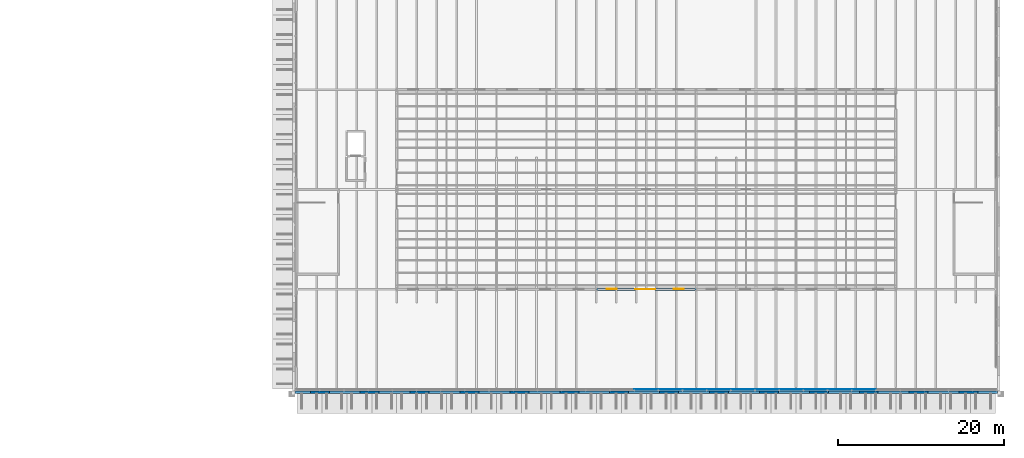
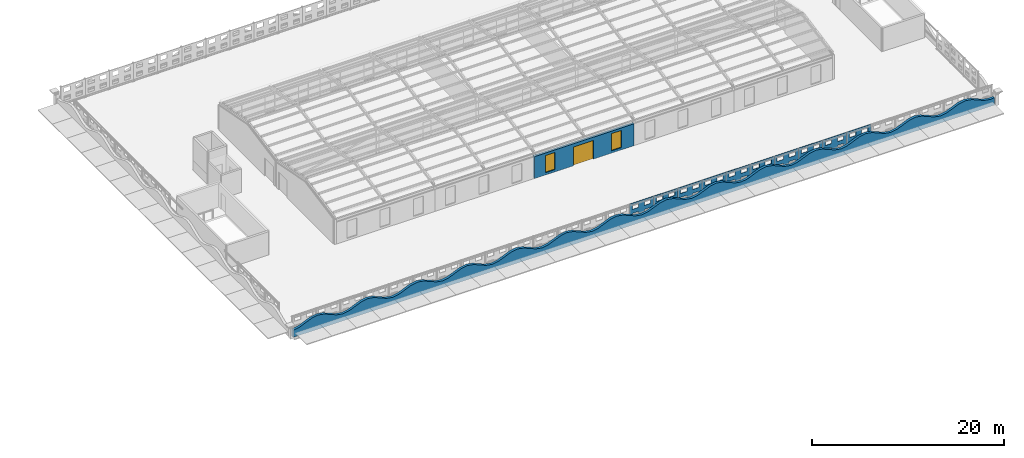
# One storey, part 58 of 91: 12 walls, 2 windows, 1 door, 43 openings.
"""IFC4 building model written with IfcOpenShell, lengths in metres."""

from ifc_helpers import new_model, si_unit, direction, frame, frame_2d, origin, place, context, subcontext, project, spatial, polyline, rectangle, outline, extrude, material, layer, layer_set, type_object, element, fill, save


model = new_model("IFC4")

# Units and contexts
model_context = context("Model", 3, precision=1e-05, world=origin(), true_north=direction((0.0, 1.0)))
body_context = subcontext(model_context, "Body", "Model", "MODEL_VIEW")
ifc_project = project(units=[si_unit("LENGTHUNIT", "METRE"), si_unit("AREAUNIT", "SQUARE_METRE"), si_unit("VOLUMEUNIT", "CUBIC_METRE"), si_unit("PLANEANGLEUNIT", "RADIAN"), si_unit("MASSUNIT", "GRAM", prefix="KILO")], contexts=[model_context])

# Site, building, storey
site_placement = place(None, origin())
site = spatial("IfcSite", under=ifc_project, at=site_placement, CompositionType="ELEMENT")
building_placement = place(site_placement, origin())
building = spatial("IfcBuilding", under=site, at=building_placement, Name="Ravi Spectrum Wholesale Market", CompositionType="ELEMENT")
storey_placement = place(building_placement, frame((0.0, 0.0, 16.199951171875)))
storey = spatial("IfcBuildingStorey", under=building, at=storey_placement, Name="ROOF PLANT LEVEL", CompositionType="ELEMENT", Elevation=16.199951171875)

# Wall, openings, door, windows
ifc_material_1 = material(Name="Clinker brickwork", Category="masonry")
ifc_layer_1 = layer(ifc_material_1, 0.300048828125)
ifc_layer_set_1 = layer_set([ifc_layer_1], Name="Clinker brickwork")
wall_type_1 = type_object("IfcWallType", Name="Brick 300 plant house", PredefinedType="SOLIDWALL", material=ifc_layer_set_1)
wall_1_placement = place(storey_placement, frame((234.0, 30.0, 0.0), z_axis=(0.0, 0.0, 1.0), x_axis=(1.0, 0.0, 0.0)))
wall_1 = element("IfcWall", 1, at=wall_1_placement, inside=storey, type_object=wall_type_1, Name="CS-WL-ROOF-114", PredefinedType="SOLIDWALL", context=body_context, shape_type="SweptSolid", body=[
    extrude(rectangle(XDim=12.0, YDim=0.300048828125, at=frame_2d((6.0, 0.0))), origin(), (0.0, 0.0, 1.0), 2.812255859375),
])
opening_1_placement = place(wall_1_placement, frame((1.280029296875, 0.0, 0.300048828125)))
opening_1 = element("IfcOpeningElement", 2, at=opening_1_placement, cuts=wall_1, Name="Opening W2665", PredefinedType="OPENING", context=body_context, shape_type="SweptSolid", body=[
    extrude(rectangle(XDim=1.199951171875, YDim=2.199951171875, at=frame_2d((0.60009765625, 1.10009765625))), frame((0.0, 0.159912109375, 0.0), z_axis=(0.0, -1.0, 0.0), x_axis=(1.0, 0.0, 0.0)), (0.0, 0.0, 1.0), 0.320068359375),
])
opening_2_placement = place(wall_1_placement, frame((9.280029296875, 0.0, 0.300048828125)))
opening_2 = element("IfcOpeningElement", 3, at=opening_2_placement, cuts=wall_1, Name="Opening W2666", PredefinedType="OPENING", context=body_context, shape_type="SweptSolid", body=[
    extrude(rectangle(XDim=1.199951171875, YDim=2.199951171875, at=frame_2d((0.60009765625, 1.10009765625))), frame((0.0, 0.159912109375, 0.0), z_axis=(0.0, -1.0, 0.0), x_axis=(1.0, 0.0, 0.0)), (0.0, 0.0, 1.0), 0.320068359375),
])
opening_3_placement = place(wall_1_placement, frame((4.679931640625, 0.0, 0.0)))
opening_3 = element("IfcOpeningElement", 4, at=opening_3_placement, cuts=wall_1, Name="Opening D547", PredefinedType="OPENING", context=body_context, shape_type="SweptSolid", body=[
    extrude(rectangle(XDim=2.39990234375, YDim=2.39990234375, at=frame_2d((1.199951171875, 1.199951171875))), frame((0.0, 0.159912109375, 0.0), z_axis=(0.0, -1.0, 0.0), x_axis=(1.0, 0.0, 0.0)), (0.0, 0.0, 1.0), 0.320068359375),
])
ifc_material_2 = material(Name="Galvanised steel", Category="steel")
door_type = type_object("IfcDoorType", Name="Plant equipment roller shutter 2400 x 2400", OperationType="ROLLINGUP", PredefinedType="DOOR", material=ifc_material_2)
door_placement = place(opening_3_placement, origin())
door = element("IfcDoor", 5, at=door_placement, inside=storey, type_object=door_type, Name="Equipment roller shutter D547", OperationType="ROLLINGUP", OverallHeight=2.39990234375, OverallWidth=2.39990234375, PredefinedType="DOOR", context=body_context, shape_type="SweptSolid", body=[
    extrude(rectangle(XDim=2.39990234375, YDim=2.39990234375, at=frame_2d((1.199951171875, 1.199951171875))), frame((0.0, 0.02490234375, 0.0), z_axis=(0.0, -1.0, 0.0), x_axis=(1.0, 0.0, 0.0)), (0.0, 0.0, 1.0), 0.050048828125),
])
fill(opening_3, door)
ifc_material_3 = material(Name="Galvanised steel louvre", Category="steel")
window_type = type_object("IfcWindowType", Name="Plant louvre 1200 x 2200", PartitioningType="SINGLE_PANEL", PredefinedType="WINDOW", material=ifc_material_3)
window_1_placement = place(opening_1_placement, origin())
window_1 = element("IfcWindow", 6, at=window_1_placement, inside=storey, type_object=window_type, Name="Window W2665", OverallHeight=2.199951171875, OverallWidth=1.199951171875, PartitioningType="SINGLE_PANEL", PredefinedType="WINDOW", context=body_context, shape_type="SweptSolid", body=[
    extrude(rectangle(XDim=1.199951171875, YDim=2.199951171875, at=frame_2d((0.60009765625, 1.10009765625))), frame((0.0, 0.030029296875, 0.0), z_axis=(0.0, -1.0, 0.0), x_axis=(1.0, 0.0, 0.0)), (0.0, 0.0, 1.0), 0.06005859375),
])
fill(opening_1, window_1)
window_2_placement = place(opening_2_placement, origin())
window_2 = element("IfcWindow", 7, at=window_2_placement, inside=storey, type_object=window_type, Name="Window W2666", OverallHeight=2.199951171875, OverallWidth=1.199951171875, PartitioningType="SINGLE_PANEL", PredefinedType="WINDOW", context=body_context, shape_type="SweptSolid", body=[
    extrude(rectangle(XDim=1.199951171875, YDim=2.199951171875, at=frame_2d((0.60009765625, 1.10009765625))), frame((0.0, 0.030029296875, 0.0), z_axis=(0.0, -1.0, 0.0), x_axis=(1.0, 0.0, 0.0)), (0.0, 0.0, 1.0), 0.06005859375),
])
fill(opening_2, window_2)

# Wall
ifc_material_4 = material(Name="Facing brickwork", Category="masonry")
ifc_layer_2 = layer(ifc_material_4, 0.300048828125)
ifc_layer_set_2 = layer_set([ifc_layer_2], Name="Facing brickwork")
wall_type_2 = type_object("IfcWallType", Name="Brick parapet 300", PredefinedType="PARAPET", material=ifc_layer_set_2)
wall_2_placement = place(storey_placement, frame((197.75, 17.60009765625, 0.0), z_axis=(0.0, 0.0, 1.0), x_axis=(1.0, 0.0, 0.0)))
element("IfcWall", 8, at=wall_2_placement, inside=storey, type_object=wall_type_2, Name="CS-WL-ROOF-001", PredefinedType="PARAPET", context=body_context, shape_type="SweptSolid", body=[
    extrude(outline(polyline([(0.0, 0.0), (84.5, 0.0), (84.5, 0.96044921875), (84.0, 0.900146484375), (83.25, 1.03173828125), (82.5, 1.35009765625), (81.75, 1.668212890625), (81.0, 1.800048828125), (80.25, 1.668212890625), (79.5, 1.35009765625), (78.75, 1.03173828125), (78.0, 0.900146484375), (77.25, 1.03173828125), (76.5, 1.35009765625), (75.75, 1.668212890625), (75.0, 1.800048828125), (74.25, 1.668212890625), (73.5, 1.35009765625), (72.75, 1.03173828125), (72.0, 0.900146484375), (71.25, 1.03173828125), (70.5, 1.35009765625), (69.75, 1.668212890625), (69.0, 1.800048828125), (68.25, 1.668212890625), (67.5, 1.35009765625), (66.75, 1.03173828125), (66.0, 0.900146484375), (65.25, 1.03173828125), (64.5, 1.35009765625), (63.75, 1.668212890625), (63.0, 1.800048828125), (62.25, 1.668212890625), (61.5, 1.35009765625), (60.75, 1.03173828125), (60.0, 0.900146484375), (59.25, 1.03173828125), (58.5, 1.35009765625), (57.75, 1.668212890625), (57.0, 1.800048828125), (56.25, 1.668212890625), (55.5, 1.35009765625), (54.75, 1.03173828125), (54.0, 0.900146484375), (53.25, 1.03173828125), (52.5, 1.35009765625), (51.75, 1.668212890625), (51.0, 1.800048828125), (50.25, 1.668212890625), (49.5, 1.35009765625), (48.75, 1.03173828125), (48.0, 0.900146484375), (47.25, 1.03173828125), (46.5, 1.35009765625), (45.75, 1.668212890625), (45.0, 1.800048828125), (44.25, 1.668212890625), (43.5, 1.35009765625), (42.75, 1.03173828125), (42.0, 0.900146484375), (41.25, 1.03173828125), (40.5, 1.35009765625), (39.75, 1.668212890625), (39.0, 1.800048828125), (38.25, 1.668212890625), (37.5, 1.35009765625), (36.75, 1.03173828125), (36.0, 0.900146484375), (35.25, 1.03173828125), (34.5, 1.35009765625), (33.75, 1.668212890625), (33.0, 1.800048828125), (32.25, 1.668212890625), (31.5, 1.35009765625), (30.75, 1.03173828125), (30.0, 0.900146484375), (29.25, 1.03173828125), (28.5, 1.35009765625), (27.75, 1.668212890625), (27.0, 1.800048828125), (26.25, 1.668212890625), (25.5, 1.35009765625), (24.75, 1.03173828125), (24.0, 0.900146484375), (23.25, 1.03173828125), (22.5, 1.35009765625), (21.75, 1.668212890625), (21.0, 1.800048828125), (20.25, 1.668212890625), (19.5, 1.35009765625), (18.75, 1.03173828125), (18.0, 0.900146484375), (17.25, 1.03173828125), (16.5, 1.35009765625), (15.75, 1.668212890625), (15.0, 1.800048828125), (14.25, 1.668212890625), (13.5, 1.35009765625), (12.75, 1.03173828125), (12.0, 0.900146484375), (11.25, 1.03173828125), (10.5, 1.35009765625), (9.75, 1.668212890625), (9.0, 1.800048828125), (8.25, 1.668212890625), (7.5, 1.35009765625), (6.75, 1.03173828125), (6.0, 0.900146484375), (5.25, 1.03173828125), (4.5, 1.35009765625), (3.75, 1.668212890625), (3.0, 1.800048828125), (2.25, 1.668212890625), (1.5, 1.35009765625), (0.75, 1.03173828125), (0.0, 0.900146484375), (0.0, 0.0)])), frame((0.0, 0.14990234375, 0.0), z_axis=(0.0, -1.0, 0.0), x_axis=(1.0, 0.0, 0.0)), (0.0, 0.0, 1.0), 0.300048828125),
])

# Wall, openings
ifc_material_5 = material(Name="Aluminium perforated plate", Category="aluminium")
ifc_layer_3 = layer(ifc_material_5, 0.030029296875)
ifc_layer_set_3 = layer_set([ifc_layer_3], Name="Aluminium perforated plate")
wall_type_3 = type_object("IfcWallType", Name="Perforated screen panel 30", PredefinedType="SOLIDWALL", material=ifc_layer_set_3)
wall_3_placement = place(storey_placement, frame((238.546630859375, 17.94921875, 0.300048828125), z_axis=(0.0, 0.0, 1.0), x_axis=(1.0, 0.0, 0.0)))
wall_3 = element("IfcWall", 9, at=wall_3_placement, inside=storey, type_object=wall_type_3, Name="CS-WL-ROOF-035", PredefinedType="SOLIDWALL", context=body_context, shape_type="SweptSolid", body=[
    extrude(rectangle(XDim=2.90673828125, YDim=0.030029296875, at=frame_2d((1.453369140625, 0.0))), origin(), (0.0, 0.0, 1.0), 2.10009765625),
])
opening_4_placement = place(wall_3_placement, frame((0.35009765625, 0.0, 0.25)))
element("IfcOpeningElement", 10, at=opening_4_placement, cuts=wall_3, Name="Opening CS-OP-ROOF-057", PredefinedType="OPENING", context=body_context, shape_type="SweptSolid", body=[
    extrude(rectangle(XDim=0.75341796875, YDim=0.550048828125, at=frame_2d((0.376708984375, 0.27490234375))), frame((0.0, 0.02490234375, 0.0), z_axis=(0.0, -1.0, 0.0), x_axis=(1.0, 0.0, 0.0)), (0.0, 0.0, 1.0), 0.050048828125),
])
opening_5_placement = place(wall_3_placement, frame((0.35009765625, 0.0, 1.300048828125)))
element("IfcOpeningElement", 11, at=opening_5_placement, cuts=wall_3, Name="Opening CS-OP-ROOF-058", PredefinedType="OPENING", context=body_context, shape_type="SweptSolid", body=[
    extrude(rectangle(XDim=0.75341796875, YDim=0.550048828125, at=frame_2d((0.376708984375, 0.27490234375))), frame((0.0, 0.02490234375, 0.0), z_axis=(0.0, -1.0, 0.0), x_axis=(1.0, 0.0, 0.0)), (0.0, 0.0, 1.0), 0.050048828125),
])
opening_6_placement = place(wall_3_placement, frame((1.803466796875, 0.0, 0.25)))
element("IfcOpeningElement", 12, at=opening_6_placement, cuts=wall_3, Name="Opening CS-OP-ROOF-059", PredefinedType="OPENING", context=body_context, shape_type="SweptSolid", body=[
    extrude(rectangle(XDim=0.75341796875, YDim=0.550048828125, at=frame_2d((0.376708984375, 0.27490234375))), frame((0.0, 0.02490234375, 0.0), z_axis=(0.0, -1.0, 0.0), x_axis=(1.0, 0.0, 0.0)), (0.0, 0.0, 1.0), 0.050048828125),
])
opening_7_placement = place(wall_3_placement, frame((1.803466796875, 0.0, 1.300048828125)))
element("IfcOpeningElement", 13, at=opening_7_placement, cuts=wall_3, Name="Opening CS-OP-ROOF-060", PredefinedType="OPENING", context=body_context, shape_type="SweptSolid", body=[
    extrude(rectangle(XDim=0.75341796875, YDim=0.550048828125, at=frame_2d((0.376708984375, 0.27490234375))), frame((0.0, 0.02490234375, 0.0), z_axis=(0.0, -1.0, 0.0), x_axis=(1.0, 0.0, 0.0)), (0.0, 0.0, 1.0), 0.050048828125),
])

wall_4_placement = place(storey_placement, frame((241.453369140625, 17.94921875, 0.300048828125), z_axis=(0.0, 0.0, 1.0), x_axis=(1.0, 0.0, 0.0)))
wall_4 = element("IfcWall", 14, at=wall_4_placement, inside=storey, type_object=wall_type_3, Name="CS-WL-ROOF-036", PredefinedType="SOLIDWALL", context=body_context, shape_type="SweptSolid", body=[
    extrude(rectangle(XDim=2.906982421875, YDim=0.030029296875, at=frame_2d((1.45361328125, 0.0))), origin(), (0.0, 0.0, 1.0), 2.10009765625),
])
opening_8_placement = place(wall_4_placement, frame((0.35009765625, 0.0, 0.25)))
element("IfcOpeningElement", 15, at=opening_8_placement, cuts=wall_4, Name="Opening CS-OP-ROOF-061", PredefinedType="OPENING", context=body_context, shape_type="SweptSolid", body=[
    extrude(rectangle(XDim=0.75341796875, YDim=0.550048828125, at=frame_2d((0.376708984375, 0.27490234375))), frame((0.0, 0.02490234375, 0.0), z_axis=(0.0, -1.0, 0.0), x_axis=(1.0, 0.0, 0.0)), (0.0, 0.0, 1.0), 0.050048828125),
])
opening_9_placement = place(wall_4_placement, frame((0.35009765625, 0.0, 1.300048828125)))
element("IfcOpeningElement", 16, at=opening_9_placement, cuts=wall_4, Name="Opening CS-OP-ROOF-062", PredefinedType="OPENING", context=body_context, shape_type="SweptSolid", body=[
    extrude(rectangle(XDim=0.75341796875, YDim=0.550048828125, at=frame_2d((0.376708984375, 0.27490234375))), frame((0.0, 0.02490234375, 0.0), z_axis=(0.0, -1.0, 0.0), x_axis=(1.0, 0.0, 0.0)), (0.0, 0.0, 1.0), 0.050048828125),
])
opening_10_placement = place(wall_4_placement, frame((1.803466796875, 0.0, 0.25)))
element("IfcOpeningElement", 17, at=opening_10_placement, cuts=wall_4, Name="Opening CS-OP-ROOF-063", PredefinedType="OPENING", context=body_context, shape_type="SweptSolid", body=[
    extrude(rectangle(XDim=0.75341796875, YDim=0.550048828125, at=frame_2d((0.376708984375, 0.27490234375))), frame((0.0, 0.02490234375, 0.0), z_axis=(0.0, -1.0, 0.0), x_axis=(1.0, 0.0, 0.0)), (0.0, 0.0, 1.0), 0.050048828125),
])
opening_11_placement = place(wall_4_placement, frame((1.803466796875, 0.0, 1.300048828125)))
element("IfcOpeningElement", 18, at=opening_11_placement, cuts=wall_4, Name="Opening CS-OP-ROOF-064", PredefinedType="OPENING", context=body_context, shape_type="SweptSolid", body=[
    extrude(rectangle(XDim=0.75341796875, YDim=0.550048828125, at=frame_2d((0.376708984375, 0.27490234375))), frame((0.0, 0.02490234375, 0.0), z_axis=(0.0, -1.0, 0.0), x_axis=(1.0, 0.0, 0.0)), (0.0, 0.0, 1.0), 0.050048828125),
])

wall_5_placement = place(storey_placement, frame((244.3603515625, 17.94921875, 0.300048828125), z_axis=(0.0, 0.0, 1.0), x_axis=(1.0, 0.0, 0.0)))
wall_5 = element("IfcWall", 19, at=wall_5_placement, inside=storey, type_object=wall_type_3, Name="CS-WL-ROOF-037", PredefinedType="SOLIDWALL", context=body_context, shape_type="SweptSolid", body=[
    extrude(rectangle(XDim=2.906982421875, YDim=0.030029296875, at=frame_2d((1.45361328125, 0.0))), origin(), (0.0, 0.0, 1.0), 2.10009765625),
])
opening_12_placement = place(wall_5_placement, frame((0.35009765625, 0.0, 0.25)))
element("IfcOpeningElement", 20, at=opening_12_placement, cuts=wall_5, Name="Opening CS-OP-ROOF-065", PredefinedType="OPENING", context=body_context, shape_type="SweptSolid", body=[
    extrude(rectangle(XDim=0.75341796875, YDim=0.550048828125, at=frame_2d((0.376708984375, 0.27490234375))), frame((0.0, 0.02490234375, 0.0), z_axis=(0.0, -1.0, 0.0), x_axis=(1.0, 0.0, 0.0)), (0.0, 0.0, 1.0), 0.050048828125),
])
opening_13_placement = place(wall_5_placement, frame((0.35009765625, 0.0, 1.300048828125)))
element("IfcOpeningElement", 21, at=opening_13_placement, cuts=wall_5, Name="Opening CS-OP-ROOF-066", PredefinedType="OPENING", context=body_context, shape_type="SweptSolid", body=[
    extrude(rectangle(XDim=0.75341796875, YDim=0.550048828125, at=frame_2d((0.376708984375, 0.27490234375))), frame((0.0, 0.02490234375, 0.0), z_axis=(0.0, -1.0, 0.0), x_axis=(1.0, 0.0, 0.0)), (0.0, 0.0, 1.0), 0.050048828125),
])
opening_14_placement = place(wall_5_placement, frame((1.803466796875, 0.0, 0.25)))
element("IfcOpeningElement", 22, at=opening_14_placement, cuts=wall_5, Name="Opening CS-OP-ROOF-067", PredefinedType="OPENING", context=body_context, shape_type="SweptSolid", body=[
    extrude(rectangle(XDim=0.75341796875, YDim=0.550048828125, at=frame_2d((0.376708984375, 0.27490234375))), frame((0.0, 0.02490234375, 0.0), z_axis=(0.0, -1.0, 0.0), x_axis=(1.0, 0.0, 0.0)), (0.0, 0.0, 1.0), 0.050048828125),
])
opening_15_placement = place(wall_5_placement, frame((1.803466796875, 0.0, 1.300048828125)))
element("IfcOpeningElement", 23, at=opening_15_placement, cuts=wall_5, Name="Opening CS-OP-ROOF-068", PredefinedType="OPENING", context=body_context, shape_type="SweptSolid", body=[
    extrude(rectangle(XDim=0.75341796875, YDim=0.550048828125, at=frame_2d((0.376708984375, 0.27490234375))), frame((0.0, 0.02490234375, 0.0), z_axis=(0.0, -1.0, 0.0), x_axis=(1.0, 0.0, 0.0)), (0.0, 0.0, 1.0), 0.050048828125),
])

wall_6_placement = place(storey_placement, frame((247.267333984375, 17.94921875, 0.300048828125), z_axis=(0.0, 0.0, 1.0), x_axis=(1.0, 0.0, 0.0)))
wall_6 = element("IfcWall", 24, at=wall_6_placement, inside=storey, type_object=wall_type_3, Name="CS-WL-ROOF-038", PredefinedType="SOLIDWALL", context=body_context, shape_type="SweptSolid", body=[
    extrude(rectangle(XDim=2.90673828125, YDim=0.030029296875, at=frame_2d((1.453369140625, 0.0))), origin(), (0.0, 0.0, 1.0), 2.10009765625),
])
opening_16_placement = place(wall_6_placement, frame((0.35009765625, 0.0, 0.25)))
element("IfcOpeningElement", 25, at=opening_16_placement, cuts=wall_6, Name="Opening CS-OP-ROOF-069", PredefinedType="OPENING", context=body_context, shape_type="SweptSolid", body=[
    extrude(rectangle(XDim=0.75341796875, YDim=0.550048828125, at=frame_2d((0.376708984375, 0.27490234375))), frame((0.0, 0.02490234375, 0.0), z_axis=(0.0, -1.0, 0.0), x_axis=(1.0, 0.0, 0.0)), (0.0, 0.0, 1.0), 0.050048828125),
])
opening_17_placement = place(wall_6_placement, frame((0.35009765625, 0.0, 1.300048828125)))
element("IfcOpeningElement", 26, at=opening_17_placement, cuts=wall_6, Name="Opening CS-OP-ROOF-070", PredefinedType="OPENING", context=body_context, shape_type="SweptSolid", body=[
    extrude(rectangle(XDim=0.75341796875, YDim=0.550048828125, at=frame_2d((0.376708984375, 0.27490234375))), frame((0.0, 0.02490234375, 0.0), z_axis=(0.0, -1.0, 0.0), x_axis=(1.0, 0.0, 0.0)), (0.0, 0.0, 1.0), 0.050048828125),
])
opening_18_placement = place(wall_6_placement, frame((1.803466796875, 0.0, 0.25)))
element("IfcOpeningElement", 27, at=opening_18_placement, cuts=wall_6, Name="Opening CS-OP-ROOF-071", PredefinedType="OPENING", context=body_context, shape_type="SweptSolid", body=[
    extrude(rectangle(XDim=0.75341796875, YDim=0.550048828125, at=frame_2d((0.376708984375, 0.27490234375))), frame((0.0, 0.02490234375, 0.0), z_axis=(0.0, -1.0, 0.0), x_axis=(1.0, 0.0, 0.0)), (0.0, 0.0, 1.0), 0.050048828125),
])
opening_19_placement = place(wall_6_placement, frame((1.803466796875, 0.0, 1.300048828125)))
element("IfcOpeningElement", 28, at=opening_19_placement, cuts=wall_6, Name="Opening CS-OP-ROOF-072", PredefinedType="OPENING", context=body_context, shape_type="SweptSolid", body=[
    extrude(rectangle(XDim=0.75341796875, YDim=0.550048828125, at=frame_2d((0.376708984375, 0.27490234375))), frame((0.0, 0.02490234375, 0.0), z_axis=(0.0, -1.0, 0.0), x_axis=(1.0, 0.0, 0.0)), (0.0, 0.0, 1.0), 0.050048828125),
])

wall_7_placement = place(storey_placement, frame((250.174072265625, 17.94921875, 0.300048828125), z_axis=(0.0, 0.0, 1.0), x_axis=(1.0, 0.0, 0.0)))
wall_7 = element("IfcWall", 29, at=wall_7_placement, inside=storey, type_object=wall_type_3, Name="CS-WL-ROOF-039", PredefinedType="SOLIDWALL", context=body_context, shape_type="SweptSolid", body=[
    extrude(rectangle(XDim=2.906982421875, YDim=0.030029296875, at=frame_2d((1.45361328125, 0.0))), origin(), (0.0, 0.0, 1.0), 2.10009765625),
])
opening_20_placement = place(wall_7_placement, frame((0.35009765625, 0.0, 0.25)))
element("IfcOpeningElement", 30, at=opening_20_placement, cuts=wall_7, Name="Opening CS-OP-ROOF-073", PredefinedType="OPENING", context=body_context, shape_type="SweptSolid", body=[
    extrude(rectangle(XDim=0.75341796875, YDim=0.550048828125, at=frame_2d((0.376708984375, 0.27490234375))), frame((0.0, 0.02490234375, 0.0), z_axis=(0.0, -1.0, 0.0), x_axis=(1.0, 0.0, 0.0)), (0.0, 0.0, 1.0), 0.050048828125),
])
opening_21_placement = place(wall_7_placement, frame((0.35009765625, 0.0, 1.300048828125)))
element("IfcOpeningElement", 31, at=opening_21_placement, cuts=wall_7, Name="Opening CS-OP-ROOF-074", PredefinedType="OPENING", context=body_context, shape_type="SweptSolid", body=[
    extrude(rectangle(XDim=0.75341796875, YDim=0.550048828125, at=frame_2d((0.376708984375, 0.27490234375))), frame((0.0, 0.02490234375, 0.0), z_axis=(0.0, -1.0, 0.0), x_axis=(1.0, 0.0, 0.0)), (0.0, 0.0, 1.0), 0.050048828125),
])
opening_22_placement = place(wall_7_placement, frame((1.803466796875, 0.0, 0.25)))
element("IfcOpeningElement", 32, at=opening_22_placement, cuts=wall_7, Name="Opening CS-OP-ROOF-075", PredefinedType="OPENING", context=body_context, shape_type="SweptSolid", body=[
    extrude(rectangle(XDim=0.75341796875, YDim=0.550048828125, at=frame_2d((0.376708984375, 0.27490234375))), frame((0.0, 0.02490234375, 0.0), z_axis=(0.0, -1.0, 0.0), x_axis=(1.0, 0.0, 0.0)), (0.0, 0.0, 1.0), 0.050048828125),
])
opening_23_placement = place(wall_7_placement, frame((1.803466796875, 0.0, 1.300048828125)))
element("IfcOpeningElement", 33, at=opening_23_placement, cuts=wall_7, Name="Opening CS-OP-ROOF-076", PredefinedType="OPENING", context=body_context, shape_type="SweptSolid", body=[
    extrude(rectangle(XDim=0.75341796875, YDim=0.550048828125, at=frame_2d((0.376708984375, 0.27490234375))), frame((0.0, 0.02490234375, 0.0), z_axis=(0.0, -1.0, 0.0), x_axis=(1.0, 0.0, 0.0)), (0.0, 0.0, 1.0), 0.050048828125),
])

wall_8_placement = place(storey_placement, frame((253.0810546875, 17.94921875, 0.300048828125), z_axis=(0.0, 0.0, 1.0), x_axis=(1.0, 0.0, 0.0)))
wall_8 = element("IfcWall", 34, at=wall_8_placement, inside=storey, type_object=wall_type_3, Name="CS-WL-ROOF-040", PredefinedType="SOLIDWALL", context=body_context, shape_type="SweptSolid", body=[
    extrude(rectangle(XDim=2.906982421875, YDim=0.030029296875, at=frame_2d((1.45361328125, 0.0))), origin(), (0.0, 0.0, 1.0), 2.10009765625),
])
opening_24_placement = place(wall_8_placement, frame((0.35009765625, 0.0, 0.25)))
element("IfcOpeningElement", 35, at=opening_24_placement, cuts=wall_8, Name="Opening CS-OP-ROOF-077", PredefinedType="OPENING", context=body_context, shape_type="SweptSolid", body=[
    extrude(rectangle(XDim=0.75341796875, YDim=0.550048828125, at=frame_2d((0.376708984375, 0.27490234375))), frame((0.0, 0.02490234375, 0.0), z_axis=(0.0, -1.0, 0.0), x_axis=(1.0, 0.0, 0.0)), (0.0, 0.0, 1.0), 0.050048828125),
])
opening_25_placement = place(wall_8_placement, frame((0.35009765625, 0.0, 1.300048828125)))
element("IfcOpeningElement", 36, at=opening_25_placement, cuts=wall_8, Name="Opening CS-OP-ROOF-078", PredefinedType="OPENING", context=body_context, shape_type="SweptSolid", body=[
    extrude(rectangle(XDim=0.75341796875, YDim=0.550048828125, at=frame_2d((0.376708984375, 0.27490234375))), frame((0.0, 0.02490234375, 0.0), z_axis=(0.0, -1.0, 0.0), x_axis=(1.0, 0.0, 0.0)), (0.0, 0.0, 1.0), 0.050048828125),
])
opening_26_placement = place(wall_8_placement, frame((1.803466796875, 0.0, 0.25)))
element("IfcOpeningElement", 37, at=opening_26_placement, cuts=wall_8, Name="Opening CS-OP-ROOF-079", PredefinedType="OPENING", context=body_context, shape_type="SweptSolid", body=[
    extrude(rectangle(XDim=0.75341796875, YDim=0.550048828125, at=frame_2d((0.376708984375, 0.27490234375))), frame((0.0, 0.02490234375, 0.0), z_axis=(0.0, -1.0, 0.0), x_axis=(1.0, 0.0, 0.0)), (0.0, 0.0, 1.0), 0.050048828125),
])
opening_27_placement = place(wall_8_placement, frame((1.803466796875, 0.0, 1.300048828125)))
element("IfcOpeningElement", 38, at=opening_27_placement, cuts=wall_8, Name="Opening CS-OP-ROOF-080", PredefinedType="OPENING", context=body_context, shape_type="SweptSolid", body=[
    extrude(rectangle(XDim=0.75341796875, YDim=0.550048828125, at=frame_2d((0.376708984375, 0.27490234375))), frame((0.0, 0.02490234375, 0.0), z_axis=(0.0, -1.0, 0.0), x_axis=(1.0, 0.0, 0.0)), (0.0, 0.0, 1.0), 0.050048828125),
])

wall_9_placement = place(storey_placement, frame((255.988037109375, 17.94921875, 0.300048828125), z_axis=(0.0, 0.0, 1.0), x_axis=(1.0, 0.0, 0.0)))
wall_9 = element("IfcWall", 39, at=wall_9_placement, inside=storey, type_object=wall_type_3, Name="CS-WL-ROOF-041", PredefinedType="SOLIDWALL", context=body_context, shape_type="SweptSolid", body=[
    extrude(rectangle(XDim=2.90673828125, YDim=0.030029296875, at=frame_2d((1.453369140625, 0.0))), origin(), (0.0, 0.0, 1.0), 2.10009765625),
])
opening_28_placement = place(wall_9_placement, frame((0.35009765625, 0.0, 0.25)))
element("IfcOpeningElement", 40, at=opening_28_placement, cuts=wall_9, Name="Opening CS-OP-ROOF-081", PredefinedType="OPENING", context=body_context, shape_type="SweptSolid", body=[
    extrude(rectangle(XDim=0.75341796875, YDim=0.550048828125, at=frame_2d((0.376708984375, 0.27490234375))), frame((0.0, 0.02490234375, 0.0), z_axis=(0.0, -1.0, 0.0), x_axis=(1.0, 0.0, 0.0)), (0.0, 0.0, 1.0), 0.050048828125),
])
opening_29_placement = place(wall_9_placement, frame((0.35009765625, 0.0, 1.300048828125)))
element("IfcOpeningElement", 41, at=opening_29_placement, cuts=wall_9, Name="Opening CS-OP-ROOF-082", PredefinedType="OPENING", context=body_context, shape_type="SweptSolid", body=[
    extrude(rectangle(XDim=0.75341796875, YDim=0.550048828125, at=frame_2d((0.376708984375, 0.27490234375))), frame((0.0, 0.02490234375, 0.0), z_axis=(0.0, -1.0, 0.0), x_axis=(1.0, 0.0, 0.0)), (0.0, 0.0, 1.0), 0.050048828125),
])
opening_30_placement = place(wall_9_placement, frame((1.803466796875, 0.0, 0.25)))
element("IfcOpeningElement", 42, at=opening_30_placement, cuts=wall_9, Name="Opening CS-OP-ROOF-083", PredefinedType="OPENING", context=body_context, shape_type="SweptSolid", body=[
    extrude(rectangle(XDim=0.75341796875, YDim=0.550048828125, at=frame_2d((0.376708984375, 0.27490234375))), frame((0.0, 0.02490234375, 0.0), z_axis=(0.0, -1.0, 0.0), x_axis=(1.0, 0.0, 0.0)), (0.0, 0.0, 1.0), 0.050048828125),
])
opening_31_placement = place(wall_9_placement, frame((1.803466796875, 0.0, 1.300048828125)))
element("IfcOpeningElement", 43, at=opening_31_placement, cuts=wall_9, Name="Opening CS-OP-ROOF-084", PredefinedType="OPENING", context=body_context, shape_type="SweptSolid", body=[
    extrude(rectangle(XDim=0.75341796875, YDim=0.550048828125, at=frame_2d((0.376708984375, 0.27490234375))), frame((0.0, 0.02490234375, 0.0), z_axis=(0.0, -1.0, 0.0), x_axis=(1.0, 0.0, 0.0)), (0.0, 0.0, 1.0), 0.050048828125),
])

wall_10_placement = place(storey_placement, frame((258.894775390625, 17.94921875, 0.300048828125), z_axis=(0.0, 0.0, 1.0), x_axis=(1.0, 0.0, 0.0)))
wall_10 = element("IfcWall", 44, at=wall_10_placement, inside=storey, type_object=wall_type_3, Name="CS-WL-ROOF-042", PredefinedType="SOLIDWALL", context=body_context, shape_type="SweptSolid", body=[
    extrude(rectangle(XDim=2.906982421875, YDim=0.030029296875, at=frame_2d((1.45361328125, 0.0))), origin(), (0.0, 0.0, 1.0), 2.10009765625),
])
opening_32_placement = place(wall_10_placement, frame((0.35009765625, 0.0, 0.25)))
element("IfcOpeningElement", 45, at=opening_32_placement, cuts=wall_10, Name="Opening CS-OP-ROOF-085", PredefinedType="OPENING", context=body_context, shape_type="SweptSolid", body=[
    extrude(rectangle(XDim=0.75341796875, YDim=0.550048828125, at=frame_2d((0.376708984375, 0.27490234375))), frame((0.0, 0.02490234375, 0.0), z_axis=(0.0, -1.0, 0.0), x_axis=(1.0, 0.0, 0.0)), (0.0, 0.0, 1.0), 0.050048828125),
])
opening_33_placement = place(wall_10_placement, frame((0.35009765625, 0.0, 1.300048828125)))
element("IfcOpeningElement", 46, at=opening_33_placement, cuts=wall_10, Name="Opening CS-OP-ROOF-086", PredefinedType="OPENING", context=body_context, shape_type="SweptSolid", body=[
    extrude(rectangle(XDim=0.75341796875, YDim=0.550048828125, at=frame_2d((0.376708984375, 0.27490234375))), frame((0.0, 0.02490234375, 0.0), z_axis=(0.0, -1.0, 0.0), x_axis=(1.0, 0.0, 0.0)), (0.0, 0.0, 1.0), 0.050048828125),
])
opening_34_placement = place(wall_10_placement, frame((1.803466796875, 0.0, 0.25)))
element("IfcOpeningElement", 47, at=opening_34_placement, cuts=wall_10, Name="Opening CS-OP-ROOF-087", PredefinedType="OPENING", context=body_context, shape_type="SweptSolid", body=[
    extrude(rectangle(XDim=0.75341796875, YDim=0.550048828125, at=frame_2d((0.376708984375, 0.27490234375))), frame((0.0, 0.02490234375, 0.0), z_axis=(0.0, -1.0, 0.0), x_axis=(1.0, 0.0, 0.0)), (0.0, 0.0, 1.0), 0.050048828125),
])
opening_35_placement = place(wall_10_placement, frame((1.803466796875, 0.0, 1.300048828125)))
element("IfcOpeningElement", 48, at=opening_35_placement, cuts=wall_10, Name="Opening CS-OP-ROOF-088", PredefinedType="OPENING", context=body_context, shape_type="SweptSolid", body=[
    extrude(rectangle(XDim=0.75341796875, YDim=0.550048828125, at=frame_2d((0.376708984375, 0.27490234375))), frame((0.0, 0.02490234375, 0.0), z_axis=(0.0, -1.0, 0.0), x_axis=(1.0, 0.0, 0.0)), (0.0, 0.0, 1.0), 0.050048828125),
])

wall_11_placement = place(storey_placement, frame((261.8017578125, 17.94921875, 0.300048828125), z_axis=(0.0, 0.0, 1.0), x_axis=(1.0, 0.0, 0.0)))
wall_11 = element("IfcWall", 49, at=wall_11_placement, inside=storey, type_object=wall_type_3, Name="CS-WL-ROOF-043", PredefinedType="SOLIDWALL", context=body_context, shape_type="SweptSolid", body=[
    extrude(rectangle(XDim=2.906982421875, YDim=0.030029296875, at=frame_2d((1.45361328125, 0.0))), origin(), (0.0, 0.0, 1.0), 2.10009765625),
])
opening_36_placement = place(wall_11_placement, frame((0.35009765625, 0.0, 0.25)))
element("IfcOpeningElement", 50, at=opening_36_placement, cuts=wall_11, Name="Opening CS-OP-ROOF-089", PredefinedType="OPENING", context=body_context, shape_type="SweptSolid", body=[
    extrude(rectangle(XDim=0.75341796875, YDim=0.550048828125, at=frame_2d((0.376708984375, 0.27490234375))), frame((0.0, 0.02490234375, 0.0), z_axis=(0.0, -1.0, 0.0), x_axis=(1.0, 0.0, 0.0)), (0.0, 0.0, 1.0), 0.050048828125),
])
opening_37_placement = place(wall_11_placement, frame((0.35009765625, 0.0, 1.300048828125)))
element("IfcOpeningElement", 51, at=opening_37_placement, cuts=wall_11, Name="Opening CS-OP-ROOF-090", PredefinedType="OPENING", context=body_context, shape_type="SweptSolid", body=[
    extrude(rectangle(XDim=0.75341796875, YDim=0.550048828125, at=frame_2d((0.376708984375, 0.27490234375))), frame((0.0, 0.02490234375, 0.0), z_axis=(0.0, -1.0, 0.0), x_axis=(1.0, 0.0, 0.0)), (0.0, 0.0, 1.0), 0.050048828125),
])
opening_38_placement = place(wall_11_placement, frame((1.803466796875, 0.0, 0.25)))
element("IfcOpeningElement", 52, at=opening_38_placement, cuts=wall_11, Name="Opening CS-OP-ROOF-091", PredefinedType="OPENING", context=body_context, shape_type="SweptSolid", body=[
    extrude(rectangle(XDim=0.75341796875, YDim=0.550048828125, at=frame_2d((0.376708984375, 0.27490234375))), frame((0.0, 0.02490234375, 0.0), z_axis=(0.0, -1.0, 0.0), x_axis=(1.0, 0.0, 0.0)), (0.0, 0.0, 1.0), 0.050048828125),
])
opening_39_placement = place(wall_11_placement, frame((1.803466796875, 0.0, 1.300048828125)))
element("IfcOpeningElement", 53, at=opening_39_placement, cuts=wall_11, Name="Opening CS-OP-ROOF-092", PredefinedType="OPENING", context=body_context, shape_type="SweptSolid", body=[
    extrude(rectangle(XDim=0.75341796875, YDim=0.550048828125, at=frame_2d((0.376708984375, 0.27490234375))), frame((0.0, 0.02490234375, 0.0), z_axis=(0.0, -1.0, 0.0), x_axis=(1.0, 0.0, 0.0)), (0.0, 0.0, 1.0), 0.050048828125),
])

wall_12_placement = place(storey_placement, frame((264.708740234375, 17.94921875, 0.300048828125), z_axis=(0.0, 0.0, 1.0), x_axis=(1.0, 0.0, 0.0)))
wall_12 = element("IfcWall", 54, at=wall_12_placement, inside=storey, type_object=wall_type_3, Name="CS-WL-ROOF-044", PredefinedType="SOLIDWALL", context=body_context, shape_type="SweptSolid", body=[
    extrude(rectangle(XDim=2.90673828125, YDim=0.030029296875, at=frame_2d((1.453369140625, 0.0))), origin(), (0.0, 0.0, 1.0), 2.10009765625),
])
opening_40_placement = place(wall_12_placement, frame((0.35009765625, 0.0, 0.25)))
element("IfcOpeningElement", 55, at=opening_40_placement, cuts=wall_12, Name="Opening CS-OP-ROOF-093", PredefinedType="OPENING", context=body_context, shape_type="SweptSolid", body=[
    extrude(rectangle(XDim=0.75341796875, YDim=0.550048828125, at=frame_2d((0.376708984375, 0.27490234375))), frame((0.0, 0.02490234375, 0.0), z_axis=(0.0, -1.0, 0.0), x_axis=(1.0, 0.0, 0.0)), (0.0, 0.0, 1.0), 0.050048828125),
])
opening_41_placement = place(wall_12_placement, frame((0.35009765625, 0.0, 1.300048828125)))
element("IfcOpeningElement", 56, at=opening_41_placement, cuts=wall_12, Name="Opening CS-OP-ROOF-094", PredefinedType="OPENING", context=body_context, shape_type="SweptSolid", body=[
    extrude(rectangle(XDim=0.75341796875, YDim=0.550048828125, at=frame_2d((0.376708984375, 0.27490234375))), frame((0.0, 0.02490234375, 0.0), z_axis=(0.0, -1.0, 0.0), x_axis=(1.0, 0.0, 0.0)), (0.0, 0.0, 1.0), 0.050048828125),
])
opening_42_placement = place(wall_12_placement, frame((1.803466796875, 0.0, 0.25)))
element("IfcOpeningElement", 57, at=opening_42_placement, cuts=wall_12, Name="Opening CS-OP-ROOF-095", PredefinedType="OPENING", context=body_context, shape_type="SweptSolid", body=[
    extrude(rectangle(XDim=0.75341796875, YDim=0.550048828125, at=frame_2d((0.376708984375, 0.27490234375))), frame((0.0, 0.02490234375, 0.0), z_axis=(0.0, -1.0, 0.0), x_axis=(1.0, 0.0, 0.0)), (0.0, 0.0, 1.0), 0.050048828125),
])
opening_43_placement = place(wall_12_placement, frame((1.803466796875, 0.0, 1.300048828125)))
element("IfcOpeningElement", 58, at=opening_43_placement, cuts=wall_12, Name="Opening CS-OP-ROOF-096", PredefinedType="OPENING", context=body_context, shape_type="SweptSolid", body=[
    extrude(rectangle(XDim=0.75341796875, YDim=0.550048828125, at=frame_2d((0.376708984375, 0.27490234375))), frame((0.0, 0.02490234375, 0.0), z_axis=(0.0, -1.0, 0.0), x_axis=(1.0, 0.0, 0.0)), (0.0, 0.0, 1.0), 0.050048828125),
])

save(model, "model.ifc")
